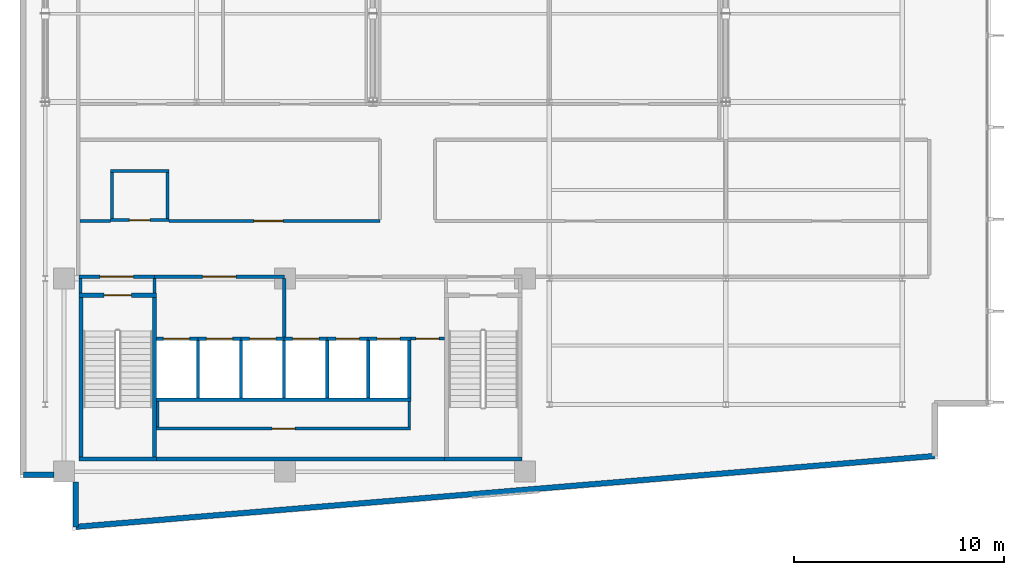
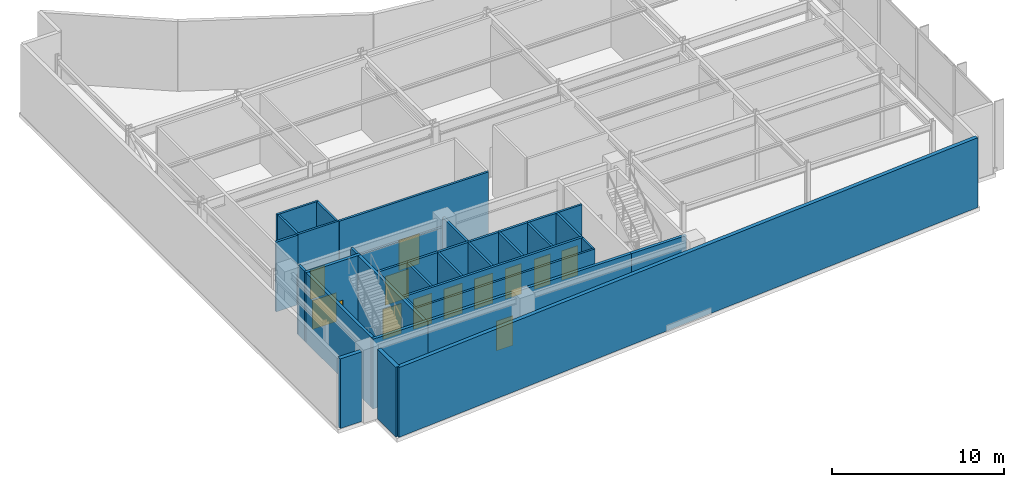
# One storey, part 10 of 15: 37 walls, 13 doors, 13 openings.
"""IFC4 building model written with IfcOpenShell, lengths in metres."""

from ifc_helpers import new_model, si_unit, direction, frame, frame_2d, origin, place, context, subcontext, project, spatial, rectangle, extrude, material, layer, layer_set, type_object, element, fill, save


model = new_model("IFC4")

# Units and contexts
model_context = context("Model", 3, precision=1e-05, world=origin(), true_north=direction((0.0, 1.0)))
body_context = subcontext(model_context, "Body", "Model", "MODEL_VIEW")
ifc_project = project(units=[si_unit("LENGTHUNIT", "METRE"), si_unit("AREAUNIT", "SQUARE_METRE"), si_unit("VOLUMEUNIT", "CUBIC_METRE"), si_unit("PLANEANGLEUNIT", "RADIAN"), si_unit("MASSUNIT", "GRAM", prefix="KILO")], contexts=[model_context])

# Site, building, storey
site_placement = place(None, origin())
site = spatial("IfcSite", under=ifc_project, at=site_placement, CompositionType="ELEMENT")
building_placement = place(site_placement, origin())
building = spatial("IfcBuilding", under=site, at=building_placement, Name="Varnakote Quay Hospital", CompositionType="ELEMENT")
storey_placement = place(building_placement, frame((0.0, 0.0, 235.550048828125)))
storey = spatial("IfcBuildingStorey", under=building, at=storey_placement, Name="L58", CompositionType="ELEMENT", Elevation=235.550048828125)

# Wall
ifc_material_1 = material(Name="Fire-rated acoustic gypsum stud wall", Category="gypsum")
ifc_layer_1 = layer(ifc_material_1, 0.14990234375)
ifc_layer_set_1 = layer_set([ifc_layer_1], Name="Fire-rated acoustic gypsum stud wall")
wall_type_1 = type_object("IfcWallType", Name="WL-COMP-150", PredefinedType="PARTITIONING", material=ifc_layer_set_1)
wall_1_placement = place(storey_placement, frame((2.85009765625, 14.72998046875, 0.0), z_axis=(0.0, 0.0, 1.0), x_axis=(1.0, 0.0, 0.0)))
element("IfcWall", 1, at=wall_1_placement, inside=storey, type_object=wall_type_1, Name="L58 West Refuge Pocket Wall", PredefinedType="PARTITIONING", context=body_context, shape_type="SweptSolid", body=[
    extrude(rectangle(XDim=1.4580078125, YDim=0.14990234375, at=frame_2d((0.72900390625, 0.0))), origin(), (0.0, 0.0, 1.0), 4.9599609375),
])

# Wall, opening, door
wall_2_placement = place(storey_placement, frame((7.092041015625, 14.72998046875, 0.0), z_axis=(0.0, 0.0, 1.0), x_axis=(1.0, 0.0, 0.0)))
wall_2 = element("IfcWall", 2, at=wall_2_placement, inside=storey, type_object=wall_type_1, Name="L58 West Refuge Corridor Wall", PredefinedType="PARTITIONING", context=body_context, shape_type="SweptSolid", body=[
    extrude(rectangle(XDim=10.0478515625, YDim=0.14990234375, at=frame_2d((5.02392578125, 0.0))), origin(), (0.0, 0.0, 1.0), 4.9599609375),
])
opening_1_placement = place(wall_2_placement, frame((4.0380859375, 0.0, 0.0)))
opening_1 = element("IfcOpeningElement", 3, at=opening_1_placement, cuts=wall_2, Name="Opening D-REF1-L58", PredefinedType="OPENING", context=body_context, shape_type="SweptSolid", body=[
    extrude(rectangle(XDim=1.39990234375, YDim=2.14990234375, at=frame_2d((0.699951171875, 1.074951171875))), frame((0.0, 0.0849609375, 0.0), z_axis=(0.0, -1.0, 0.0), x_axis=(1.0, 0.0, 0.0)), (0.0, 0.0, 1.0), 0.169921875),
])
ifc_material_2 = material(Name="Fire-rated acoustic plant room door")
door_type_1 = type_object("IfcDoorType", Name="DR-PLANT-FD60-1400x2150", OperationType="NOTDEFINED", PredefinedType="DOOR", material=ifc_material_2)
door_1_placement = place(opening_1_placement, origin())
door_1 = element("IfcDoor", 4, at=door_1_placement, inside=storey, type_object=door_type_1, Name="L58 Fire Refuge Holding Area West Door", OperationType="SINGLE_SWING_RIGHT", OverallHeight=2.14990234375, OverallWidth=1.39990234375, PredefinedType="DOOR", context=body_context, shape_type="SweptSolid", body=[
    extrude(rectangle(XDim=1.39990234375, YDim=2.14990234375, at=frame_2d((0.699951171875, 1.074951171875))), frame((0.0, 0.02490234375, 0.0), z_axis=(0.0, -1.0, 0.0), x_axis=(1.0, 0.0, 0.0)), (0.0, 0.0, 1.0), 0.050048828125),
])
fill(opening_1, door_1)

# Wall
ifc_material_3 = material(Name="Fire-rated acoustic gypsum stud wall", Category="gypsum")
ifc_layer_2 = layer(ifc_material_3, 0.159912109375)
ifc_layer_set_2 = layer_set([ifc_layer_2], Name="Fire-rated acoustic gypsum stud wall")
wall_type_2 = type_object("IfcWallType", Name="WL-COMP-160", PredefinedType="PARTITIONING", material=ifc_layer_set_2)
wall_3_placement = place(storey_placement, frame((2.8798828125, 11.300048828125, 0.0), z_axis=(0.0, 0.0, 1.0), x_axis=(0.0, 1.0, 0.0)))
element("IfcWall", 5, at=wall_3_placement, inside=storey, type_object=wall_type_2, Name="L58 West Stair Vestibule West Wall", PredefinedType="PARTITIONING", context=body_context, shape_type="SweptSolid", body=[
    extrude(rectangle(XDim=0.699951171875, YDim=0.159912109375, at=frame_2d((0.35009765625, 0.0))), origin(), (0.0, 0.0, 1.0), 4.9599609375),
])

# Wall, opening, door
wall_4_placement = place(storey_placement, frame((2.800048828125, 12.080078125, 0.0), z_axis=(0.0, 0.0, 1.0), x_axis=(1.0, 0.0, 0.0)))
wall_4 = element("IfcWall", 6, at=wall_4_placement, inside=storey, type_object=wall_type_2, Name="L58 West Stair Vestibule Smoke Wall", PredefinedType="PARTITIONING", context=body_context, shape_type="SweptSolid", body=[
    extrude(rectangle(XDim=3.599853515625, YDim=0.159912109375, at=frame_2d((1.7998046875, 0.0))), origin(), (0.0, 0.0, 1.0), 4.23486328125),
])
opening_2_placement = place(wall_4_placement, frame((1.0, 0.0, 0.0)))
opening_2 = element("IfcOpeningElement", 7, at=opening_2_placement, cuts=wall_4, Name="Opening D-ST1L-L58", PredefinedType="OPENING", context=body_context, shape_type="SweptSolid", body=[
    extrude(rectangle(XDim=1.60009765625, YDim=2.050048828125, at=frame_2d((0.800048828125, 1.02490234375))), frame((0.0, 0.08984375, 0.0), z_axis=(0.0, -1.0, 0.0), x_axis=(1.0, 0.0, 0.0)), (0.0, 0.0, 1.0), 0.179931640625),
])
ifc_material_4 = material(Name="Fire-rated double smoke lobby door")
door_type_2 = type_object("IfcDoorType", Name="DR-LOBBY-FD60S-1600x2150", OperationType="NOTDEFINED", PredefinedType="DOOR", material=ifc_material_4)
door_2_placement = place(opening_2_placement, origin())
door_2 = element("IfcDoor", 8, at=door_2_placement, inside=storey, type_object=door_type_2, Name="L58 West Stair Vestibule Smoke Door", OperationType="DOUBLE_DOOR_SINGLE_SWING", OverallHeight=2.050048828125, OverallWidth=1.60009765625, PredefinedType="DOOR", context=body_context, shape_type="SweptSolid", body=[
    extrude(rectangle(XDim=1.60009765625, YDim=2.050048828125, at=frame_2d((0.800048828125, 1.02490234375))), frame((0.0, 0.02490234375, 0.0), z_axis=(0.0, -1.0, 0.0), x_axis=(1.0, 0.0, 0.0)), (0.0, 0.0, 1.0), 0.050048828125),
])
fill(opening_2, door_2)

# Wall
wall_5_placement = place(storey_placement, frame((6.39990234375, 11.300048828125, 0.0), z_axis=(0.0, 0.0, 1.0), x_axis=(0.0, 1.0, 0.0)))
element("IfcWall", 9, at=wall_5_placement, inside=storey, type_object=wall_type_2, Name="L58 Firefighting Lobby West Wall", PredefinedType="PARTITIONING", context=body_context, shape_type="SweptSolid", body=[
    extrude(rectangle(XDim=0.699951171875, YDim=0.159912109375, at=frame_2d((0.35009765625, 0.0))), origin(), (0.0, 0.0, 1.0), 4.9599609375),
])

# Wall, opening, door
wall_6_placement = place(storey_placement, frame((6.39990234375, 12.080078125, 0.0), z_axis=(0.0, 0.0, 1.0), x_axis=(1.0, 0.0, 0.0)))
wall_6 = element("IfcWall", 10, at=wall_6_placement, inside=storey, type_object=wall_type_2, Name="L58 Firefighting Lift Lobby Compartment Wall", PredefinedType="PARTITIONING", context=body_context, shape_type="SweptSolid", body=[
    extrude(rectangle(XDim=6.18017578125, YDim=0.159912109375, at=frame_2d((3.090087890625, 0.0))), origin(), (0.0, 0.0, 1.0), 4.23486328125),
])
opening_3_placement = place(wall_6_placement, frame((2.2900390625, 0.0, 0.0)))
opening_3 = element("IfcOpeningElement", 11, at=opening_3_placement, cuts=wall_6, Name="Opening D-FFL-L58", PredefinedType="OPENING", context=body_context, shape_type="SweptSolid", body=[
    extrude(rectangle(XDim=1.60009765625, YDim=2.050048828125, at=frame_2d((0.800048828125, 1.02490234375))), frame((0.0, 0.08984375, 0.0), z_axis=(0.0, -1.0, 0.0), x_axis=(1.0, 0.0, 0.0)), (0.0, 0.0, 1.0), 0.179931640625),
])
door_3_placement = place(opening_3_placement, origin())
door_3 = element("IfcDoor", 12, at=door_3_placement, inside=storey, type_object=door_type_2, Name="L58 Firefighting Smoke Vestibule Door", OperationType="DOUBLE_DOOR_SINGLE_SWING", OverallHeight=2.050048828125, OverallWidth=1.60009765625, PredefinedType="DOOR", context=body_context, shape_type="SweptSolid", body=[
    extrude(rectangle(XDim=1.60009765625, YDim=2.050048828125, at=frame_2d((0.800048828125, 1.02490234375))), frame((0.0, 0.02490234375, 0.0), z_axis=(0.0, -1.0, 0.0), x_axis=(1.0, 0.0, 0.0)), (0.0, 0.0, 1.0), 0.050048828125),
])
fill(opening_3, door_3)

# Walls
wall_7_placement = place(storey_placement, frame((12.580078125, 9.2099609375, 0.0), z_axis=(0.0, 0.0, 1.0), x_axis=(0.0, 1.0, 0.0)))
element("IfcWall", 13, at=wall_7_placement, inside=storey, type_object=wall_type_2, Name="L58 Firefighting to Service Lobby Wall", PredefinedType="PARTITIONING", context=body_context, shape_type="SweptSolid", body=[
    extrude(rectangle(XDim=2.7900390625, YDim=0.159912109375, at=frame_2d((1.39501953125, 0.0))), origin(), (0.0, 0.0, 1.0), 4.9599609375),
])
ifc_material_5 = material(Name="Concrete N50 (f'c 50 MPa)", Category="concrete")
ifc_layer_3 = layer(ifc_material_5, 0.199951171875)
ifc_layer_set_3 = layer_set([ifc_layer_3], Name="Concrete N50 (f'c 50 MPa)")
wall_type_3 = type_object("IfcWallType", Name="WL-CORE-N50-200", PredefinedType="SHEAR", material=ifc_layer_set_3)
wall_8_placement = place(storey_placement, frame((6.5, 3.39990234375, 0.0), z_axis=(0.0, 0.0, 1.0), x_axis=(1.0, 0.0, 0.0)))
element("IfcWall", 14, at=wall_8_placement, inside=storey, type_object=wall_type_3, Name="L58 Rear Core South Shear Wall", PredefinedType="SHEAR", context=body_context, shape_type="SweptSolid", body=[
    extrude(rectangle(XDim=13.699951171875, YDim=0.199951171875, at=frame_2d((6.85009765625, 0.0))), origin(), (0.0, 0.0, 1.0), 4.9599609375),
])
ifc_material_6 = material(Name="Precast concrete N50 (f'c 50 MPa)", Category="concrete")
ifc_layer_4 = layer(ifc_material_6, 0.260009765625)
ifc_layer_set_4 = layer_set([ifc_layer_4], Name="Precast concrete N50 (f'c 50 MPa)")
wall_type_4 = type_object("IfcWallType", Name="WL-EXT-BRICK-260", PredefinedType="STANDARD", material=ifc_layer_set_4)
wall_9_placement = place(storey_placement, frame((2.659912109375, 2.31494140625, 0.0), z_axis=(0.0, 0.0, 1.0), x_axis=(0.0, -1.0, 0.0)))
element("IfcWall", 15, at=wall_9_placement, inside=storey, type_object=wall_type_4, Name="L58 Brick-Faced Precast Exterior Wall", PredefinedType="STANDARD", context=body_context, shape_type="SweptSolid", body=[
    extrude(rectangle(XDim=2.141357421875, YDim=0.260009765625, at=frame_2d((1.07080078125, 0.0))), origin(), (0.0, 0.0, 1.0), 4.9599609375),
])
wall_10_placement = place(storey_placement, frame((2.659912109375, 0.173583984375, 0.0), z_axis=(0.0, 0.0, 1.0), x_axis=(0.996611813627, 0.082248969229, 0.0)))
element("IfcWall", 16, at=wall_10_placement, inside=storey, type_object=wall_type_4, Name="L58 Brick-Faced Precast Exterior Wall", PredefinedType="STANDARD", context=body_context, shape_type="SweptSolid", body=[
    extrude(rectangle(XDim=41.01904296875, YDim=0.260009765625, at=frame_2d((20.509521484375, 0.0))), origin(), (0.0, 0.0, 1.0), 4.9599609375),
])
wall_11_placement = place(storey_placement, frame((0.159912109375, 2.659912109375, 0.0), z_axis=(0.0, 0.0, 1.0), x_axis=(1.0, 0.0, 0.0)))
element("IfcWall", 17, at=wall_11_placement, inside=storey, type_object=wall_type_4, Name="L58 Brick-Faced Precast Exterior Wall", PredefinedType="STANDARD", context=body_context, shape_type="SweptSolid", body=[
    extrude(rectangle(XDim=1.455078125, YDim=0.260009765625, at=frame_2d((0.7275390625, 0.0))), origin(), (0.0, 0.0, 1.0), 4.9599609375),
])
ifc_material_7 = material(Name="Concrete N50 (f'c 50 MPa)", Category="concrete")
ifc_layer_5 = layer(ifc_material_7, 0.14990234375)
ifc_layer_set_5 = layer_set([ifc_layer_5], Name="Concrete N50 (f'c 50 MPa)")
wall_type_5 = type_object("IfcWallType", Name="WL-SHAFT-N50-150", PredefinedType="SHEAR", material=ifc_layer_set_5)
for number, where, z_axis, x_axis, name in (
    (18, (8.47509765625, 6.300048828125, 0.0), (0.0, 0.0, 1.0), (0.0, 1.0, 0.0), "L58 LF-FF1 Hoistway Divider Wall"),
    (19, (10.52490234375, 6.300048828125, 0.0), (0.0, 0.0, 1.0), (0.0, 1.0, 0.0), "L58 LF-FF2 Hoistway Divider Wall"),
    (20, (12.574951171875, 6.300048828125, 0.0), (0.0, 0.0, 1.0), (0.0, 1.0, 0.0), "L58 LF-SV1 Hoistway Divider Wall"),
    (21, (14.625, 6.300048828125, 0.0), (0.0, 0.0, 1.0), (0.0, 1.0, 0.0), "L58 LF-SV2 Hoistway Divider Wall"),
    (22, (16.574951171875, 6.300048828125, 0.0), (0.0, 0.0, 1.0), (0.0, 1.0, 0.0), "L58 LF-PH1 Hoistway Divider Wall"),
):
    element("IfcWall", number, at=place(storey_placement, frame(where, z_axis=z_axis, x_axis=x_axis)), inside=storey, type_object=wall_type_5, Name=name, PredefinedType="SHEAR", context=body_context, shape_type="SweptSolid", body=[
        extrude(rectangle(XDim=2.75, YDim=0.14990234375, at=frame_2d((1.375, 0.0))), origin(), (0.0, 0.0, 1.0), 4.9599609375),
    ])
ifc_material_8 = material(Name="Concrete N50 (f'c 50 MPa)", Category="concrete")
ifc_layer_6 = layer(ifc_material_8, 0.159912109375)
ifc_layer_set_6 = layer_set([ifc_layer_6], Name="Concrete N50 (f'c 50 MPa)")
wall_type_6 = type_object("IfcWallType", Name="WL-SHAFT-N50-160", PredefinedType="SHEAR", material=ifc_layer_set_6)
wall_12_placement = place(storey_placement, frame((6.5, 6.219970703125, 0.0), z_axis=(0.0, 0.0, 1.0), x_axis=(1.0, 0.0, 0.0)))
element("IfcWall", 23, at=wall_12_placement, inside=storey, type_object=wall_type_6, Name="L58 REAR Lift Bank Back Shear Wall", PredefinedType="SHEAR", context=body_context, shape_type="SweptSolid", body=[
    extrude(rectangle(XDim=12.110107421875, YDim=0.159912109375, at=frame_2d((6.05517578125, 0.0))), origin(), (0.0, 0.0, 1.0), 4.9599609375),
])
wall_13_placement = place(storey_placement, frame((18.530029296875, 6.300048828125, 0.0), z_axis=(0.0, 0.0, 1.0), x_axis=(0.0, 1.0, 0.0)))
element("IfcWall", 24, at=wall_13_placement, inside=storey, type_object=wall_type_6, Name="L58 REAR Lift Bank East Shear Wall", PredefinedType="SHEAR", context=body_context, shape_type="SweptSolid", body=[
    extrude(rectangle(XDim=2.75, YDim=0.159912109375, at=frame_2d((1.375, 0.0))), origin(), (0.0, 0.0, 1.0), 4.9599609375),
])

# Wall, opening, door
wall_14_placement = place(storey_placement, frame((6.5, 9.1298828125, 0.0), z_axis=(0.0, 0.0, 1.0), x_axis=(1.0, 0.0, 0.0)))
wall_14 = element("IfcWall", 25, at=wall_14_placement, inside=storey, type_object=wall_type_6, Name="L58 LF-FF1 Hoistway Front Wall", PredefinedType="SHEAR", context=body_context, shape_type="SweptSolid", body=[
    extrude(rectangle(XDim=1.97509765625, YDim=0.159912109375, at=frame_2d((0.987548828125, 0.0))), origin(), (0.0, 0.0, 1.0), 4.9599609375),
])
opening_4_placement = place(wall_14_placement, frame((0.324951171875, 0.0, 0.0)))
opening_4 = element("IfcOpeningElement", 26, at=opening_4_placement, cuts=wall_14, Name="Opening LD-FF1-L58", PredefinedType="OPENING", context=body_context, shape_type="SweptSolid", body=[
    extrude(rectangle(XDim=1.25, YDim=2.14990234375, at=frame_2d((0.625, 1.074951171875))), frame((0.0, 0.08984375, 0.0), z_axis=(0.0, -1.0, 0.0), x_axis=(1.0, 0.0, 0.0)), (0.0, 0.0, 1.0), 0.179931640625),
])
ifc_material_9 = material(Name="Stainless steel lift landing sliding door", Category="steel")
door_type_3 = type_object("IfcDoorType", Name="DR-LIFT-LD-1250x2150", OperationType="NOTDEFINED", PredefinedType="DOOR", material=ifc_material_9)
door_4_placement = place(opening_4_placement, origin())
door_4 = element("IfcDoor", 27, at=door_4_placement, inside=storey, type_object=door_type_3, Name="L58 LF-FF1 Lift Landing Sliding Door", OperationType="SLIDING_TO_LEFT", OverallHeight=2.14990234375, OverallWidth=1.25, PredefinedType="DOOR", context=body_context, shape_type="SweptSolid", body=[
    extrude(rectangle(XDim=1.25, YDim=2.14990234375, at=frame_2d((0.625, 1.074951171875))), frame((0.0, 0.02490234375, 0.0), z_axis=(0.0, -1.0, 0.0), x_axis=(1.0, 0.0, 0.0)), (0.0, 0.0, 1.0), 0.050048828125),
])
fill(opening_4, door_4)

wall_15_placement = place(storey_placement, frame((8.47509765625, 9.1298828125, 0.0), z_axis=(0.0, 0.0, 1.0), x_axis=(1.0, 0.0, 0.0)))
wall_15 = element("IfcWall", 28, at=wall_15_placement, inside=storey, type_object=wall_type_6, Name="L58 LF-FF2 Hoistway Front Wall", PredefinedType="SHEAR", context=body_context, shape_type="SweptSolid", body=[
    extrude(rectangle(XDim=2.0498046875, YDim=0.159912109375, at=frame_2d((1.02490234375, 0.0))), origin(), (0.0, 0.0, 1.0), 4.9599609375),
])
opening_5_placement = place(wall_15_placement, frame((0.39990234375, 0.0, 0.0)))
opening_5 = element("IfcOpeningElement", 29, at=opening_5_placement, cuts=wall_15, Name="Opening LD-FF2-L58", PredefinedType="OPENING", context=body_context, shape_type="SweptSolid", body=[
    extrude(rectangle(XDim=1.25, YDim=2.14990234375, at=frame_2d((0.625, 1.074951171875))), frame((0.0, 0.08984375, 0.0), z_axis=(0.0, -1.0, 0.0), x_axis=(1.0, 0.0, 0.0)), (0.0, 0.0, 1.0), 0.179931640625),
])
door_5_placement = place(opening_5_placement, origin())
door_5 = element("IfcDoor", 30, at=door_5_placement, inside=storey, type_object=door_type_3, Name="L58 LF-FF2 Lift Landing Sliding Door", OperationType="SLIDING_TO_LEFT", OverallHeight=2.14990234375, OverallWidth=1.25, PredefinedType="DOOR", context=body_context, shape_type="SweptSolid", body=[
    extrude(rectangle(XDim=1.25, YDim=2.14990234375, at=frame_2d((0.625, 1.074951171875))), frame((0.0, 0.02490234375, 0.0), z_axis=(0.0, -1.0, 0.0), x_axis=(1.0, 0.0, 0.0)), (0.0, 0.0, 1.0), 0.050048828125),
])
fill(opening_5, door_5)

wall_16_placement = place(storey_placement, frame((10.52490234375, 9.1298828125, 0.0), z_axis=(0.0, 0.0, 1.0), x_axis=(1.0, 0.0, 0.0)))
wall_16 = element("IfcWall", 31, at=wall_16_placement, inside=storey, type_object=wall_type_6, Name="L58 LF-SV1 Hoistway Front Wall", PredefinedType="SHEAR", context=body_context, shape_type="SweptSolid", body=[
    extrude(rectangle(XDim=2.050048828125, YDim=0.159912109375, at=frame_2d((1.02490234375, 0.0))), origin(), (0.0, 0.0, 1.0), 4.9599609375),
])
opening_6_placement = place(wall_16_placement, frame((0.39990234375, 0.0, 0.0)))
opening_6 = element("IfcOpeningElement", 32, at=opening_6_placement, cuts=wall_16, Name="Opening LD-SV1-L58", PredefinedType="OPENING", context=body_context, shape_type="SweptSolid", body=[
    extrude(rectangle(XDim=1.25, YDim=2.14990234375, at=frame_2d((0.625, 1.074951171875))), frame((0.0, 0.08984375, 0.0), z_axis=(0.0, -1.0, 0.0), x_axis=(1.0, 0.0, 0.0)), (0.0, 0.0, 1.0), 0.179931640625),
])
door_6_placement = place(opening_6_placement, origin())
door_6 = element("IfcDoor", 33, at=door_6_placement, inside=storey, type_object=door_type_3, Name="L58 LF-SV1 Lift Landing Sliding Door", OperationType="SLIDING_TO_LEFT", OverallHeight=2.14990234375, OverallWidth=1.25, PredefinedType="DOOR", context=body_context, shape_type="SweptSolid", body=[
    extrude(rectangle(XDim=1.25, YDim=2.14990234375, at=frame_2d((0.625, 1.074951171875))), frame((0.0, 0.02490234375, 0.0), z_axis=(0.0, -1.0, 0.0), x_axis=(1.0, 0.0, 0.0)), (0.0, 0.0, 1.0), 0.050048828125),
])
fill(opening_6, door_6)

wall_17_placement = place(storey_placement, frame((12.574951171875, 9.1298828125, 0.0), z_axis=(0.0, 0.0, 1.0), x_axis=(1.0, 0.0, 0.0)))
wall_17 = element("IfcWall", 34, at=wall_17_placement, inside=storey, type_object=wall_type_6, Name="L58 LF-SV2 Hoistway Front Wall", PredefinedType="SHEAR", context=body_context, shape_type="SweptSolid", body=[
    extrude(rectangle(XDim=2.050048828125, YDim=0.159912109375, at=frame_2d((1.02490234375, 0.0))), origin(), (0.0, 0.0, 1.0), 4.9599609375),
])
opening_7_placement = place(wall_17_placement, frame((0.39990234375, 0.0, 0.0)))
opening_7 = element("IfcOpeningElement", 35, at=opening_7_placement, cuts=wall_17, Name="Opening LD-SV2-L58", PredefinedType="OPENING", context=body_context, shape_type="SweptSolid", body=[
    extrude(rectangle(XDim=1.25, YDim=2.14990234375, at=frame_2d((0.625, 1.074951171875))), frame((0.0, 0.08984375, 0.0), z_axis=(0.0, -1.0, 0.0), x_axis=(1.0, 0.0, 0.0)), (0.0, 0.0, 1.0), 0.179931640625),
])
door_7_placement = place(opening_7_placement, origin())
door_7 = element("IfcDoor", 36, at=door_7_placement, inside=storey, type_object=door_type_3, Name="L58 LF-SV2 Lift Landing Sliding Door", OperationType="SLIDING_TO_LEFT", OverallHeight=2.14990234375, OverallWidth=1.25, PredefinedType="DOOR", context=body_context, shape_type="SweptSolid", body=[
    extrude(rectangle(XDim=1.25, YDim=2.14990234375, at=frame_2d((0.625, 1.074951171875))), frame((0.0, 0.02490234375, 0.0), z_axis=(0.0, -1.0, 0.0), x_axis=(1.0, 0.0, 0.0)), (0.0, 0.0, 1.0), 0.050048828125),
])
fill(opening_7, door_7)

wall_18_placement = place(storey_placement, frame((14.625, 9.1298828125, 0.0), z_axis=(0.0, 0.0, 1.0), x_axis=(1.0, 0.0, 0.0)))
wall_18 = element("IfcWall", 37, at=wall_18_placement, inside=storey, type_object=wall_type_6, Name="L58 LF-PH1 Hoistway Front Wall", PredefinedType="SHEAR", context=body_context, shape_type="SweptSolid", body=[
    extrude(rectangle(XDim=1.949951171875, YDim=0.159912109375, at=frame_2d((0.97509765625, 0.0))), origin(), (0.0, 0.0, 1.0), 4.9599609375),
])
opening_8_placement = place(wall_18_placement, frame((0.425048828125, 0.0, 0.0)))
opening_8 = element("IfcOpeningElement", 38, at=opening_8_placement, cuts=wall_18, Name="Opening LD-PH1-L58", PredefinedType="OPENING", context=body_context, shape_type="SweptSolid", body=[
    extrude(rectangle(XDim=1.10009765625, YDim=2.14990234375, at=frame_2d((0.550048828125, 1.074951171875))), frame((0.0, 0.08984375, 0.0), z_axis=(0.0, -1.0, 0.0), x_axis=(1.0, 0.0, 0.0)), (0.0, 0.0, 1.0), 0.179931640625),
])
ifc_material_10 = material(Name="Brushed bronze lift landing sliding door")
door_type_4 = type_object("IfcDoorType", Name="DR-LIFT-LD-1100x2150", OperationType="NOTDEFINED", PredefinedType="DOOR", material=ifc_material_10)
door_8_placement = place(opening_8_placement, origin())
door_8 = element("IfcDoor", 39, at=door_8_placement, inside=storey, type_object=door_type_4, Name="L58 LF-PH1 Lift Landing Sliding Door", OperationType="SLIDING_TO_LEFT", OverallHeight=2.14990234375, OverallWidth=1.10009765625, PredefinedType="DOOR", context=body_context, shape_type="SweptSolid", body=[
    extrude(rectangle(XDim=1.10009765625, YDim=2.14990234375, at=frame_2d((0.550048828125, 1.074951171875))), frame((0.0, 0.02490234375, 0.0), z_axis=(0.0, -1.0, 0.0), x_axis=(1.0, 0.0, 0.0)), (0.0, 0.0, 1.0), 0.050048828125),
])
fill(opening_8, door_8)

wall_19_placement = place(storey_placement, frame((16.574951171875, 9.1298828125, 0.0), z_axis=(0.0, 0.0, 1.0), x_axis=(1.0, 0.0, 0.0)))
wall_19 = element("IfcWall", 40, at=wall_19_placement, inside=storey, type_object=wall_type_6, Name="L58 LF-PH2 Hoistway Front Wall", PredefinedType="SHEAR", context=body_context, shape_type="SweptSolid", body=[
    extrude(rectangle(XDim=2.03515625, YDim=0.159912109375, at=frame_2d((1.017578125, 0.0))), origin(), (0.0, 0.0, 1.0), 4.9599609375),
])
opening_9_placement = place(wall_19_placement, frame((0.425048828125, 0.0, 0.0)))
opening_9 = element("IfcOpeningElement", 41, at=opening_9_placement, cuts=wall_19, Name="Opening LD-PH2-L58", PredefinedType="OPENING", context=body_context, shape_type="SweptSolid", body=[
    extrude(rectangle(XDim=1.10009765625, YDim=2.14990234375, at=frame_2d((0.550048828125, 1.074951171875))), frame((0.0, 0.08984375, 0.0), z_axis=(0.0, -1.0, 0.0), x_axis=(1.0, 0.0, 0.0)), (0.0, 0.0, 1.0), 0.179931640625),
])
door_9_placement = place(opening_9_placement, origin())
door_9 = element("IfcDoor", 42, at=door_9_placement, inside=storey, type_object=door_type_4, Name="L58 LF-PH2 Lift Landing Sliding Door", OperationType="SLIDING_TO_LEFT", OverallHeight=2.14990234375, OverallWidth=1.10009765625, PredefinedType="DOOR", context=body_context, shape_type="SweptSolid", body=[
    extrude(rectangle(XDim=1.10009765625, YDim=2.14990234375, at=frame_2d((0.550048828125, 1.074951171875))), frame((0.0, 0.02490234375, 0.0), z_axis=(0.0, -1.0, 0.0), x_axis=(1.0, 0.0, 0.0)), (0.0, 0.0, 1.0), 0.050048828125),
])
fill(opening_9, door_9)

# Walls
ifc_material_11 = material(Name="Concrete N50 (f'c 50 MPa)", Category="concrete")
ifc_layer_7 = layer(ifc_material_11, 0.199951171875)
ifc_layer_set_7 = layer_set([ifc_layer_7], Name="Concrete N50 (f'c 50 MPa)")
wall_type_7 = type_object("IfcWallType", Name="WL-SHAFT-N50-200", PredefinedType="SHEAR", material=ifc_layer_set_7)
wall_20_placement = place(storey_placement, frame((2.800048828125, 3.39990234375, 0.0), z_axis=(0.0, 0.0, 1.0), x_axis=(1.0, 0.0, 0.0)))
element("IfcWall", 43, at=wall_20_placement, inside=storey, type_object=wall_type_7, Name="L58 Stair ST1 South Shaft Wall", PredefinedType="SHEAR", context=body_context, shape_type="SweptSolid", body=[
    extrude(rectangle(XDim=3.699951171875, YDim=0.199951171875, at=frame_2d((1.85009765625, 0.0))), origin(), (0.0, 0.0, 1.0), 4.9599609375),
])
for number, where, z_axis, x_axis, name in (
    (44, (2.89990234375, 3.5, 0.0), (0.0, 0.0, 1.0), (0.0, 1.0, 0.0), "L58 Stair ST1 West Shaft Wall"),
    (45, (6.39990234375, 3.5, 0.0), (0.0, 0.0, 1.0), (0.0, 1.0, 0.0), "L58 Stair ST1 East Shaft Wall"),
):
    element("IfcWall", number, at=place(storey_placement, frame(where, z_axis=z_axis, x_axis=x_axis)), inside=storey, type_object=wall_type_7, Name=name, PredefinedType="SHEAR", context=body_context, shape_type="SweptSolid", body=[
        extrude(rectangle(XDim=7.60009765625, YDim=0.199951171875, at=frame_2d((3.800048828125, 0.0))), origin(), (0.0, 0.0, 1.0), 4.9599609375),
    ])

# Wall, opening, door
wall_21_placement = place(storey_placement, frame((2.800048828125, 11.199951171875, 0.0), z_axis=(0.0, 0.0, 1.0), x_axis=(1.0, 0.0, 0.0)))
wall_21 = element("IfcWall", 46, at=wall_21_placement, inside=storey, type_object=wall_type_7, Name="L58 Stair ST1 Exit Wall", PredefinedType="SHEAR", context=body_context, shape_type="SweptSolid", body=[
    extrude(rectangle(XDim=3.699951171875, YDim=0.199951171875, at=frame_2d((1.85009765625, 0.0))), origin(), (0.0, 0.0, 1.0), 4.9599609375),
])
opening_10_placement = place(wall_21_placement, frame((1.199951171875, 0.0, 0.0)))
opening_10 = element("IfcOpeningElement", 47, at=opening_10_placement, cuts=wall_21, Name="Opening D-ST1-L58", PredefinedType="OPENING", context=body_context, shape_type="SweptSolid", body=[
    extrude(rectangle(XDim=1.300048828125, YDim=2.14990234375, at=frame_2d((0.64990234375, 1.074951171875))), frame((0.0, 0.10986328125, 0.0), z_axis=(0.0, -1.0, 0.0), x_axis=(1.0, 0.0, 0.0)), (0.0, 0.0, 1.0), 0.219970703125),
])
ifc_material_12 = material(Name="Fire-rated ceramic-glazed timber exit door", Category="wood")
door_type_5 = type_object("IfcDoorType", Name="DR-STAIR-FD60S-1300x2150", OperationType="NOTDEFINED", PredefinedType="DOOR", material=ifc_material_12)
door_10_placement = place(opening_10_placement, origin())
door_10 = element("IfcDoor", 48, at=door_10_placement, inside=storey, type_object=door_type_5, Name="L58 Stair ST1 Fire Exit Door", OperationType="SINGLE_SWING_LEFT", OverallHeight=2.14990234375, OverallWidth=1.300048828125, PredefinedType="DOOR", context=body_context, shape_type="SweptSolid", body=[
    extrude(rectangle(XDim=1.300048828125, YDim=2.14990234375, at=frame_2d((0.64990234375, 1.074951171875))), frame((0.0, 0.02490234375, 0.0), z_axis=(0.0, -1.0, 0.0), x_axis=(1.0, 0.0, 0.0)), (0.0, 0.0, 1.0), 0.050048828125),
])
fill(opening_10, door_10)

# Walls
wall_22_placement = place(storey_placement, frame((20.199951171875, 3.39990234375, 0.0), z_axis=(0.0, 0.0, 1.0), x_axis=(1.0, 0.0, 0.0)))
element("IfcWall", 49, at=wall_22_placement, inside=storey, type_object=wall_type_7, Name="L58 Stair ST2 South Shaft Wall", PredefinedType="SHEAR", context=body_context, shape_type="SweptSolid", body=[
    extrude(rectangle(XDim=3.699951171875, YDim=0.199951171875, at=frame_2d((1.85009765625, 0.0))), origin(), (0.0, 0.0, 1.0), 4.9599609375),
])
ifc_material_13 = material(Name="Smoke-proof clinical partition", Category="gypsum")
ifc_layer_8 = layer(ifc_material_13, 0.1201171875)
ifc_layer_set_8 = layer_set([ifc_layer_8], Name="Smoke-proof clinical partition")
wall_type_8 = type_object("IfcWallType", Name="WL-SMOKE-120", PredefinedType="PARTITIONING", material=ifc_layer_set_8)
for number, where, z_axis, x_axis, name in (
    (50, (6.56005859375, 4.919921875, 0.0), (0.0, 0.0, 1.0), (0.0, 1.0, 0.0), "L58 Core Service Strip West Wall"),
    (51, (18.5400390625, 4.919921875, 0.0), (0.0, 0.0, 1.0), (0.0, 1.0, 0.0), "L58 Core Service Strip East Wall"),
):
    element("IfcWall", number, at=place(storey_placement, frame(where, z_axis=z_axis, x_axis=x_axis)), inside=storey, type_object=wall_type_8, Name=name, PredefinedType="PARTITIONING", context=body_context, shape_type="SweptSolid", body=[
        extrude(rectangle(XDim=1.219970703125, YDim=0.1201171875, at=frame_2d((0.60986328125, 0.0))), origin(), (0.0, 0.0, 1.0), 4.9599609375),
    ])

# Wall, opening, door
ifc_material_14 = material(Name="Fire-rated clinical gypsum partition", Category="gypsum")
ifc_layer_9 = layer(ifc_material_14, 0.139892578125)
ifc_layer_set_9 = layer_set([ifc_layer_9], Name="Fire-rated clinical gypsum partition")
wall_type_9 = type_object("IfcWallType", Name="WL-WARD-140", PredefinedType="PARTITIONING", material=ifc_layer_set_9)
wall_23_placement = place(storey_placement, frame((6.5, 4.85009765625, 0.0), z_axis=(0.0, 0.0, 1.0), x_axis=(1.0, 0.0, 0.0)))
wall_23 = element("IfcWall", 52, at=wall_23_placement, inside=storey, type_object=wall_type_9, Name="L58 Core Clean Linen Store South Wall", PredefinedType="PARTITIONING", context=body_context, shape_type="SweptSolid", body=[
    extrude(rectangle(XDim=12.10009765625, YDim=0.139892578125, at=frame_2d((6.050048828125, 0.0))), origin(), (0.0, 0.0, 1.0), 4.9599609375),
])
opening_11_placement = place(wall_23_placement, frame((5.5, 0.0, 0.0)))
opening_11 = element("IfcOpeningElement", 53, at=opening_11_placement, cuts=wall_23, Name="Opening D-L58-CR01", PredefinedType="OPENING", context=body_context, shape_type="SweptSolid", body=[
    extrude(rectangle(XDim=1.10009765625, YDim=2.10009765625, at=frame_2d((0.550048828125, 1.050048828125))), frame((0.0, 0.079833984375, 0.0), z_axis=(0.0, -1.0, 0.0), x_axis=(1.0, 0.0, 0.0)), (0.0, 0.0, 1.0), 0.159912109375),
])
ifc_material_15 = material(Name="Acoustic timber clinical consult door", Category="wood")
door_type_6 = type_object("IfcDoorType", Name="DR-CLIN-FD30S-1100x2100", OperationType="NOTDEFINED", PredefinedType="DOOR", material=ifc_material_15)
door_11_placement = place(opening_11_placement, origin())
door_11 = element("IfcDoor", 54, at=door_11_placement, inside=storey, type_object=door_type_6, Name="L58 Core Clean Linen Store Door", OperationType="SINGLE_SWING_LEFT", OverallHeight=2.10009765625, OverallWidth=1.10009765625, PredefinedType="DOOR", context=body_context, shape_type="SweptSolid", body=[
    extrude(rectangle(XDim=1.10009765625, YDim=2.10009765625, at=frame_2d((0.550048828125, 1.050048828125))), frame((0.0, 0.02490234375, 0.0), z_axis=(0.0, -1.0, 0.0), x_axis=(1.0, 0.0, 0.0)), (0.0, 0.0, 1.0), 0.050048828125),
])
fill(opening_11, door_11)

wall_24_placement = place(storey_placement, frame((18.610107421875, 9.1298828125, 0.0), z_axis=(0.0, 0.0, 1.0), x_axis=(1.0, 0.0, 0.0)))
wall_24 = element("IfcWall", 55, at=wall_24_placement, inside=storey, type_object=wall_type_9, Name="L58 Core Service Corridor North Door Wall", PredefinedType="PARTITIONING", context=body_context, shape_type="SweptSolid", body=[
    extrude(rectangle(XDim=1.58984375, YDim=0.139892578125, at=frame_2d((0.794921875, 0.0))), origin(), (0.0, 0.0, 1.0), 4.9599609375),
])
opening_12_placement = place(wall_24_placement, frame((0.239990234375, 0.0, 0.0)))
opening_12 = element("IfcOpeningElement", 56, at=opening_12_placement, cuts=wall_24, Name="Opening D-CSRV-L58", PredefinedType="OPENING", context=body_context, shape_type="SweptSolid", body=[
    extrude(rectangle(XDim=1.10009765625, YDim=2.10009765625, at=frame_2d((0.550048828125, 1.050048828125))), frame((0.0, 0.079833984375, 0.0), z_axis=(0.0, -1.0, 0.0), x_axis=(1.0, 0.0, 0.0)), (0.0, 0.0, 1.0), 0.159912109375),
])
door_12_placement = place(opening_12_placement, origin())
door_12 = element("IfcDoor", 57, at=door_12_placement, inside=storey, type_object=door_type_6, Name="L58 Core Service Corridor Door", OperationType="SINGLE_SWING_RIGHT", OverallHeight=2.10009765625, OverallWidth=1.10009765625, PredefinedType="DOOR", context=body_context, shape_type="SweptSolid", body=[
    extrude(rectangle(XDim=1.10009765625, YDim=2.10009765625, at=frame_2d((0.550048828125, 1.050048828125))), frame((0.0, 0.02490234375, 0.0), z_axis=(0.0, -1.0, 0.0), x_axis=(1.0, 0.0, 0.0)), (0.0, 0.0, 1.0), 0.050048828125),
])
fill(opening_12, door_12)

wall_25_placement = place(storey_placement, frame((4.31005859375, 14.77001953125, 0.0), z_axis=(0.0, 0.0, 1.0), x_axis=(1.0, 0.0, 0.0)))
wall_25 = element("IfcWall", 58, at=wall_25_placement, inside=storey, type_object=wall_type_9, Name="L58 Floor Unisex Accessible WC S Wall", PredefinedType="PARTITIONING", context=body_context, shape_type="SweptSolid", body=[
    extrude(rectangle(XDim=2.780029296875, YDim=0.139892578125, at=frame_2d((1.39013671875, 0.0))), origin(), (0.0, 0.0, 1.0), 4.9599609375),
])
opening_13_placement = place(wall_25_placement, frame((0.89990234375, 0.0, 0.0)))
opening_13 = element("IfcOpeningElement", 59, at=opening_13_placement, cuts=wall_25, Name="Opening D-L58-EW01", PredefinedType="OPENING", context=body_context, shape_type="SweptSolid", body=[
    extrude(rectangle(XDim=0.97998046875, YDim=2.10009765625, at=frame_2d((0.489990234375, 1.050048828125))), frame((0.0, 0.079833984375, 0.0), z_axis=(0.0, -1.0, 0.0), x_axis=(1.0, 0.0, 0.0)), (0.0, 0.0, 1.0), 0.159912109375),
])
ifc_material_16 = material(Name="Accessible sanitary compartment door")
door_type_7 = type_object("IfcDoorType", Name="DR-WC-980x2100", OperationType="NOTDEFINED", PredefinedType="DOOR", material=ifc_material_16)
door_13_placement = place(opening_13_placement, origin())
door_13 = element("IfcDoor", 60, at=door_13_placement, inside=storey, type_object=door_type_7, Name="L58 Floor Unisex Accessible WC Door", OperationType="SINGLE_SWING_LEFT", OverallHeight=2.10009765625, OverallWidth=0.97998046875, PredefinedType="DOOR", context=body_context, shape_type="SweptSolid", body=[
    extrude(rectangle(XDim=0.97998046875, YDim=2.10009765625, at=frame_2d((0.489990234375, 1.050048828125))), frame((0.0, 0.02490234375, 0.0), z_axis=(0.0, -1.0, 0.0), x_axis=(1.0, 0.0, 0.0)), (0.0, 0.0, 1.0), 0.050048828125),
])
fill(opening_13, door_13)

# Walls
wall_26_placement = place(storey_placement, frame((4.31005859375, 17.110107421875, 0.0), z_axis=(0.0, 0.0, 1.0), x_axis=(1.0, 0.0, 0.0)))
element("IfcWall", 61, at=wall_26_placement, inside=storey, type_object=wall_type_9, Name="L58 Floor Unisex Accessible WC N Wall", PredefinedType="PARTITIONING", context=body_context, shape_type="SweptSolid", body=[
    extrude(rectangle(XDim=2.780029296875, YDim=0.139892578125, at=frame_2d((1.39013671875, 0.0))), origin(), (0.0, 0.0, 1.0), 4.9599609375),
])
for number, where, z_axis, x_axis, name in (
    (62, (4.3798828125, 14.840087890625, 0.0), (0.0, 0.0, 1.0), (0.0, 1.0, 0.0), "L58 Floor Unisex Accessible WC W Wall"),
    (63, (7.02001953125, 14.840087890625, 0.0), (0.0, 0.0, 1.0), (0.0, 1.0, 0.0), "L58 Floor Unisex Accessible WC E Wall"),
):
    element("IfcWall", number, at=place(storey_placement, frame(where, z_axis=z_axis, x_axis=x_axis)), inside=storey, type_object=wall_type_9, Name=name, PredefinedType="PARTITIONING", context=body_context, shape_type="SweptSolid", body=[
        extrude(rectangle(XDim=2.199951171875, YDim=0.139892578125, at=frame_2d((1.10009765625, 0.0))), origin(), (0.0, 0.0, 1.0), 4.9599609375),
    ])

save(model, "model.ifc")
